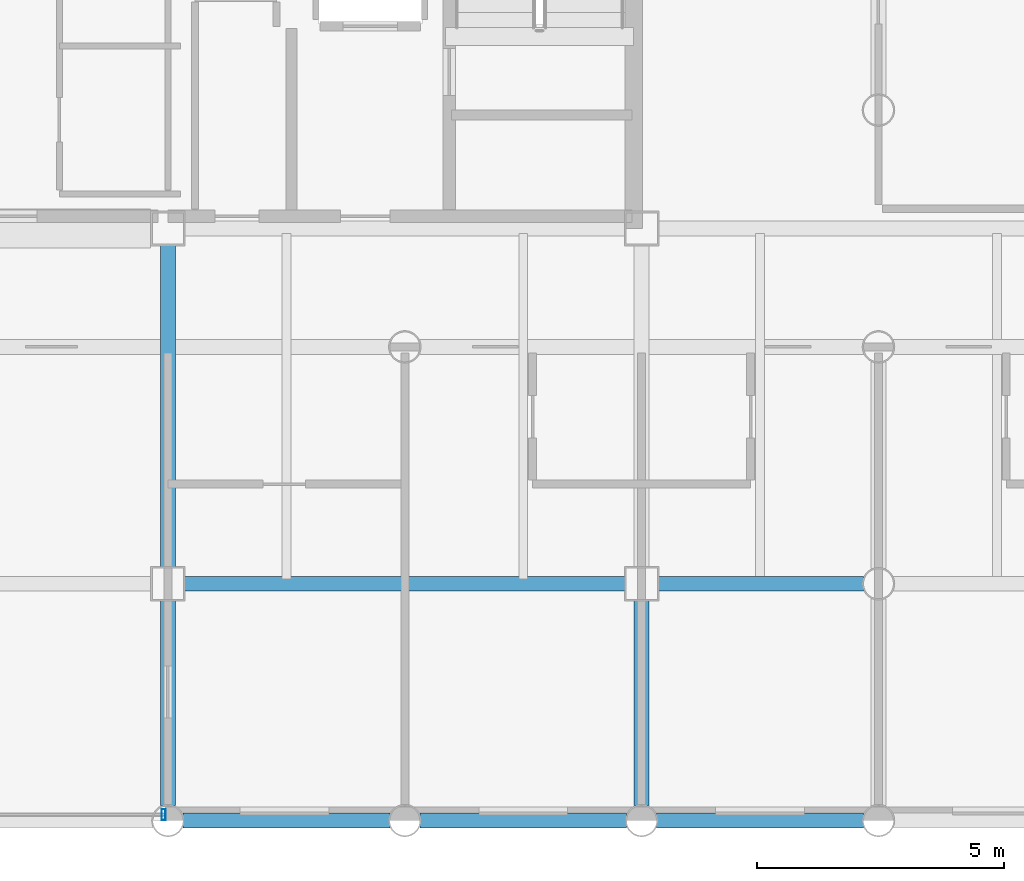
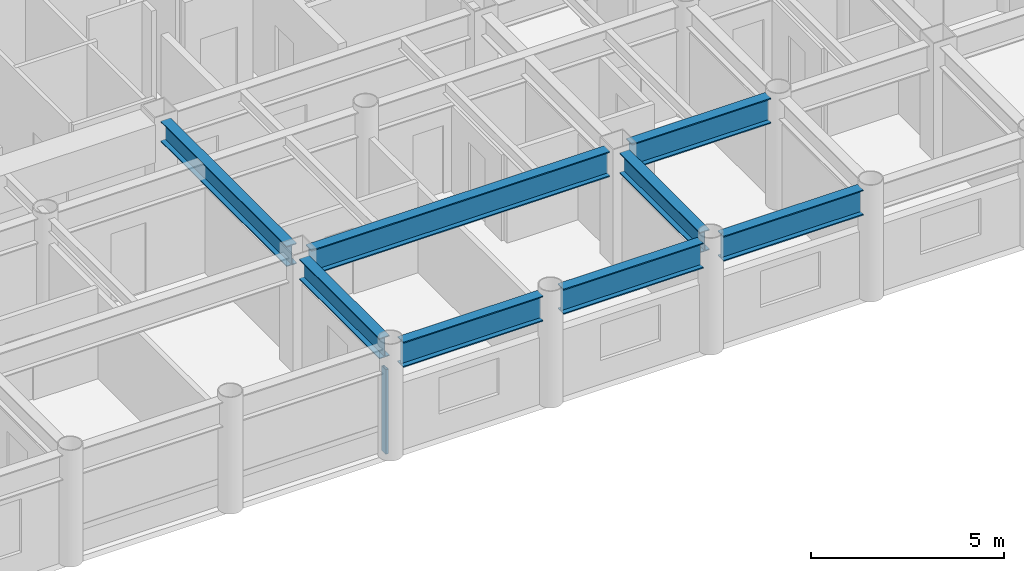
# One storey, part 6 of 22: 8 beams, 1 member, 1 element without a shape of its own.
"""IFC4 building model written with IfcOpenShell, lengths in metres."""

from ifc_helpers import new_model, si_unit, direction, frame, origin, origin_2d, place, context, subcontext, project, spatial, hollow_rectangle, i_section, extrude, material, layer, layer_set, material_profile, profile_set, type_object, element, aggregate, save


model = new_model("IFC4")

# Units and contexts
model_context = context("Model", 3, precision=1e-05, world=origin(), true_north=direction((0.0, 1.0)))
body_context = subcontext(model_context, "Body", "Model", "MODEL_VIEW")
ifc_project = project(units=[si_unit("LENGTHUNIT", "METRE"), si_unit("AREAUNIT", "SQUARE_METRE"), si_unit("VOLUMEUNIT", "CUBIC_METRE"), si_unit("PLANEANGLEUNIT", "RADIAN"), si_unit("MASSUNIT", "GRAM", prefix="KILO")], contexts=[model_context])

# Site, building, storey
site_placement = place(None, origin())
site = spatial("IfcSite", under=ifc_project, at=site_placement, CompositionType="ELEMENT")
building_placement = place(site_placement, origin())
building = spatial("IfcBuilding", under=site, at=building_placement, Name="Kallvorn Hotel Tower", CompositionType="ELEMENT")
storey_placement = place(building_placement, frame((0.0, 0.0, 117.39990234375)))
storey = spatial("IfcBuildingStorey", under=building, at=storey_placement, Name="L28", CompositionType="ELEMENT", Elevation=117.39990234375)

# Beams
ifc_material_1 = material(Name="Structural steel S355JR", Category="steel")
ifc_material_profile_1 = material_profile(ifc_material_1, i_section(OverallWidth=0.300048828125, OverallDepth=0.64990234375, WebThickness=0.01611328125, FlangeThickness=0.031005859375, at=origin_2d()), Name="HE 650 B")
ifc_profile_set_1 = profile_set([ifc_material_profile_1], Name="Structural steel S355JR")
beam_type_1 = type_object("IfcBeamType", Name="BM_HE650B", PredefinedType="BEAM", material=ifc_profile_set_1)
beam_1_placement = place(storey_placement, frame((4.800048828125, -18.89501953125, 3.195068359375), z_axis=(0.0, 1.0, 0.0), x_axis=(-1.0, 0.0, 0.0)))
element("IfcBeam", 1, at=beam_1_placement, inside=storey, type_object=beam_type_1, Name="L29 Primary Y-Girder 113", PredefinedType="BEAM", context=body_context, shape_type="SweptSolid", body=[
    extrude(i_section(OverallWidth=0.300048828125, OverallDepth=0.64990234375, WebThickness=0.01611328125, FlangeThickness=0.031005859375, at=origin_2d()), origin(), (0.0, 0.0, 1.0), 4.169921875),
])
beam_2_placement = place(storey_placement, frame((4.800048828125, -14.074951171875, 3.195068359375), z_axis=(0.0, 1.0, 0.0), x_axis=(-1.0, 0.0, 0.0)))
element("IfcBeam", 2, at=beam_2_placement, inside=storey, type_object=beam_type_1, Name="L29 Primary Y-Girder 114", PredefinedType="BEAM", context=body_context, shape_type="SweptSolid", body=[
    extrude(i_section(OverallWidth=0.300048828125, OverallDepth=0.64990234375, WebThickness=0.01611328125, FlangeThickness=0.031005859375, at=origin_2d()), origin(), (0.0, 0.0, 1.0), 6.550048828125),
])
beam_3_placement = place(storey_placement, frame((14.39990234375, -18.89501953125, 3.195068359375), z_axis=(0.0, 1.0, 0.0), x_axis=(-1.0, 0.0, 0.0)))
element("IfcBeam", 3, at=beam_3_placement, inside=storey, type_object=beam_type_1, Name="L29 Primary Y-Girder 121", PredefinedType="BEAM", context=body_context, shape_type="SweptSolid", body=[
    extrude(i_section(OverallWidth=0.300048828125, OverallDepth=0.64990234375, WebThickness=0.01611328125, FlangeThickness=0.031005859375, at=origin_2d()), origin(), (0.0, 0.0, 1.0), 4.169921875),
])
ifc_material_2 = material(Name="Structural steel S355JR", Category="steel")
ifc_material_profile_2 = material_profile(ifc_material_2, i_section(OverallWidth=0.300048828125, OverallDepth=0.800048828125, WebThickness=0.017578125, FlangeThickness=0.032958984375, at=origin_2d()), Name="HE 800 B")
ifc_profile_set_2 = profile_set([ifc_material_profile_2], Name="Structural steel S355JR")
beam_type_2 = type_object("IfcBeamType", Name="BM_HE800B", PredefinedType="BEAM", material=ifc_profile_set_2)
for number, where, z_axis, x_axis, name in (
    (4, (5.10498046875, -19.199951171875, 3.1201171875), (1.0, 0.0, 0.0), (0.0, 1.0, 0.0), "L29 Primary X-Girder 08"),
    (5, (9.905029296875, -19.199951171875, 3.1201171875), (1.0, 0.0, 0.0), (0.0, 1.0, 0.0), "L29 Primary X-Girder 09"),
    (6, (14.705078125, -19.199951171875, 3.1201171875), (1.0, 0.0, 0.0), (0.0, 1.0, 0.0), "L29 Primary X-Girder 10"),
):
    element("IfcBeam", number, at=place(storey_placement, frame(where, z_axis=z_axis, x_axis=x_axis)), inside=storey, type_object=beam_type_2, Name=name, PredefinedType="BEAM", context=body_context, shape_type="SweptSolid", body=[
        extrude(i_section(OverallWidth=0.300048828125, OverallDepth=0.800048828125, WebThickness=0.017578125, FlangeThickness=0.032958984375, at=origin_2d()), origin(), (0.0, 0.0, 1.0), 4.18994140625),
    ])
beam_4_placement = place(storey_placement, frame((5.125, -14.39990234375, 3.1201171875), z_axis=(1.0, 0.0, 0.0), x_axis=(0.0, 1.0, 0.0)))
element("IfcBeam", 7, at=beam_4_placement, inside=storey, type_object=beam_type_2, Name="L29 Primary X-Girder 18", PredefinedType="BEAM", context=body_context, shape_type="SweptSolid", body=[
    extrude(i_section(OverallWidth=0.300048828125, OverallDepth=0.800048828125, WebThickness=0.017578125, FlangeThickness=0.032958984375, at=origin_2d()), origin(), (0.0, 0.0, 1.0), 8.949951171875),
])
beam_5_placement = place(storey_placement, frame((14.72509765625, -14.39990234375, 3.1201171875), z_axis=(1.0, 0.0, 0.0), x_axis=(0.0, 1.0, 0.0)))
element("IfcBeam", 8, at=beam_5_placement, inside=storey, type_object=beam_type_2, Name="L29 Primary X-Girder 19", PredefinedType="BEAM", context=body_context, shape_type="SweptSolid", body=[
    extrude(i_section(OverallWidth=0.300048828125, OverallDepth=0.800048828125, WebThickness=0.017578125, FlangeThickness=0.032958984375, at=origin_2d()), origin(), (0.0, 0.0, 1.0), 4.169921875),
])

# Curtain wall, member
ifc_material_3 = material(Name="Thermally broken black-anodised aluminium AA 6063-T6", Category="aluminium")
ifc_layer = layer(ifc_material_3, 0.199951171875)
ifc_layer_set = layer_set([ifc_layer], Name="CW_SYS_3_HOTEL_LOW")
curtain_wall_type = type_object("IfcCurtainWallType", Name="CW_SYS_3_HOTEL_LOW", PredefinedType="USERDEFINED", material=ifc_layer_set)
curtain_wall_placement = place(storey_placement, origin())
curtain_wall = element("IfcCurtainWall", 9, at=curtain_wall_placement, inside=storey, type_object=curtain_wall_type, Name="L28 Dark-Glass Curtain Wall CW-L28-SC", ObjectType="UNITISED CURTAIN WALL", PredefinedType="USERDEFINED")
ifc_material_4 = material(Name="Thermally broken black-anodised aluminium AA 6063-T6", Category="aluminium")
ifc_material_profile_3 = material_profile(ifc_material_4, hollow_rectangle(XDim=0.080078125, YDim=0.219970703125, WallThickness=0.0048828125, at=origin_2d()), Name="MUL 220x80")
ifc_profile_set_3 = profile_set([ifc_material_profile_3], Name="Thermally broken black-anodised aluminium AA 6063-T6")
member_type = type_object("IfcMemberType", Name="CW_MULLION_220x80", PredefinedType="MULLION", material=ifc_profile_set_3)
member_placement = place(storey_placement, frame((4.7099609375, -19.080078125, 0.02001953125), z_axis=(0.0, 0.0, 1.0), x_axis=(1.0, 0.0, 0.0)))
member = element("IfcMember", 10, at=member_placement, type_object=member_type, Name="CW-L28-SC Mullion 02", PredefinedType="MULLION", context=body_context, shape_type="SweptSolid", body=[
    extrude(hollow_rectangle(XDim=0.080078125, YDim=0.219970703125, WallThickness=0.0048828125, at=origin_2d()), origin(), (0.0, 0.0, 1.0), 2.68017578125),
])
aggregate(curtain_wall, [member])

save(model, "model.ifc")
